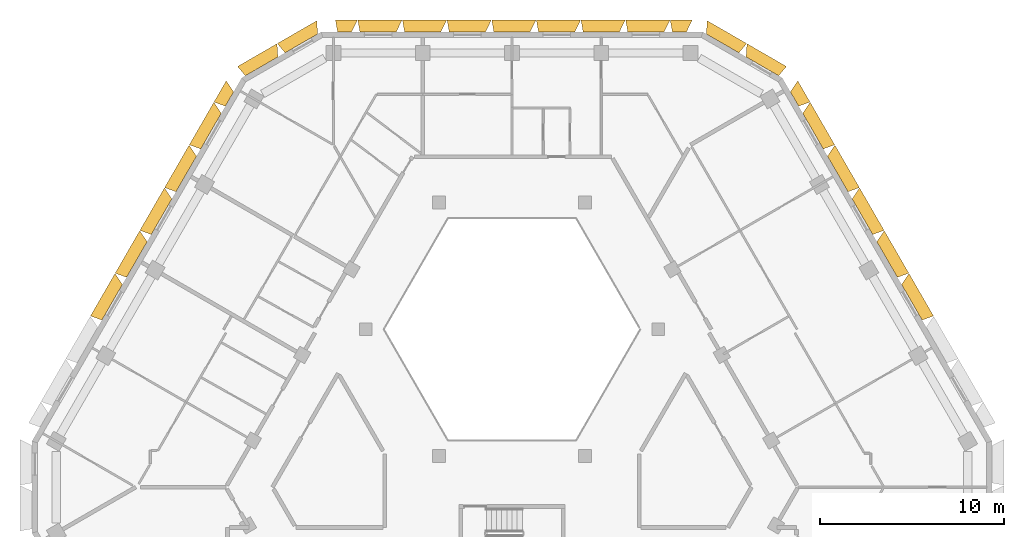
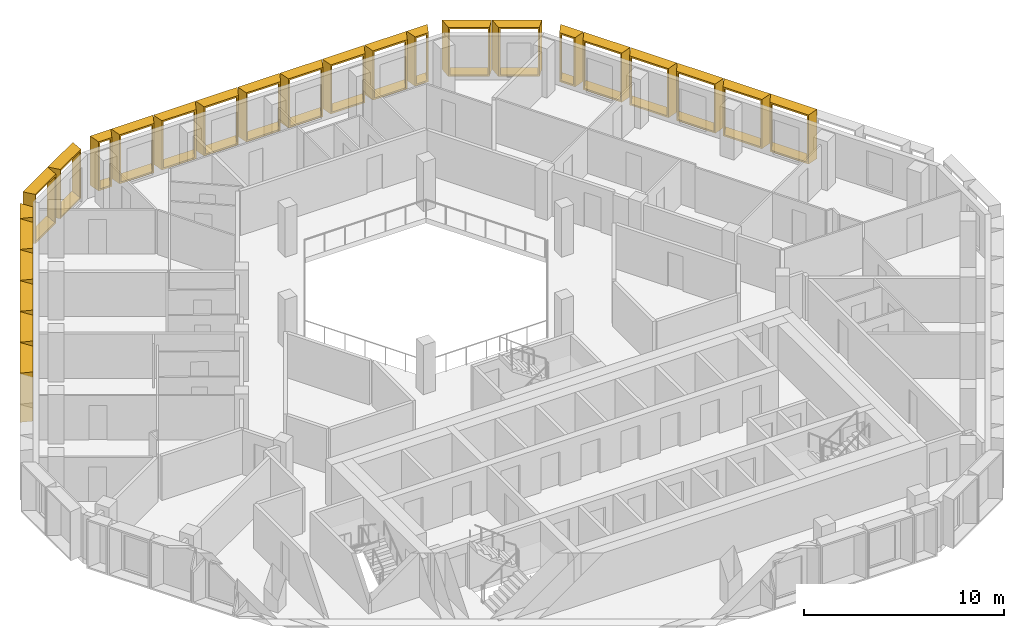
# One storey, part 15 of 15: 25 shading devices.
"""IFC4 building model written with IfcOpenShell, lengths in metres."""

from ifc_helpers import new_model, entity, si_unit, direction, frame, origin, place, context, subcontext, project, spatial, source, transform, mapped, material, type_object, type_shapes, element, save


model = new_model("IFC4")

# Units and contexts
model_context = context("Model", 3, precision=1e-05, world=origin(), true_north=direction((0.0, 1.0)))
body_context = subcontext(model_context, "Body", "Model", "MODEL_VIEW")
ifc_project = project(units=[si_unit("LENGTHUNIT", "METRE"), si_unit("AREAUNIT", "SQUARE_METRE"), si_unit("VOLUMEUNIT", "CUBIC_METRE"), si_unit("PLANEANGLEUNIT", "RADIAN"), si_unit("MASSUNIT", "GRAM", prefix="KILO")], contexts=[model_context])

# Site, building, storey
site_placement = place(None, origin())
site = spatial("IfcSite", under=ifc_project, at=site_placement, CompositionType="ELEMENT")
building_placement = place(site_placement, origin())
building = spatial("IfcBuilding", under=site, at=building_placement, Name="Beryl Residences", CompositionType="ELEMENT")
storey_placement = place(building_placement, frame((0.0, 0.0, 175.199951171875)))
storey = spatial("IfcBuildingStorey", under=building, at=storey_placement, Name="L53", CompositionType="ELEMENT", Elevation=175.199951171875)

# Shading devices
ifc_material_1 = material(Name="Aluminium pale anodised", Category="aluminium")
shading_device_type_1 = type_object("IfcShadingDeviceType", Name="FR122-65B OUTER SKIN frame 650 mm deep, splay 26/10 deg, 1220 x 3000 mm cell", PredefinedType="USERDEFINED", material=ifc_material_1)
cartesian_point_1 = entity("IfcCartesianPoint", [-0.384033203125, 0.0])
cartesian_point_2 = entity("IfcCartesianPoint", [-0.294921875, 0.10009765625])
cartesian_point_3 = entity("IfcCartesianPoint", [-0.700927734375, 0.0])
cartesian_point_4 = entity("IfcCartesianPoint", [-0.612060546875, 0.10009765625])
shared_shape_1 = source(origin(), body_context, "Body", "SweptSolid", [
    entity("IfcExtrudedAreaSolidTapered", entity("IfcArbitraryProfileDefWithVoids", "AREA", None, entity("IfcPolyline", [cartesian_point_1, entity("IfcCartesianPoint", [0.384033203125, 0.0]), entity("IfcCartesianPoint", [0.384033203125, 3.0]), entity("IfcCartesianPoint", [-0.384033203125, 3.0]), cartesian_point_1]), [entity("IfcPolyline", [cartesian_point_2, entity("IfcCartesianPoint", [0.302734375, 0.10009765625]), entity("IfcCartesianPoint", [0.302734375, 2.89990234375]), entity("IfcCartesianPoint", [-0.294921875, 2.89990234375]), cartesian_point_2])]), entity("IfcAxis2Placement3D", entity("IfcCartesianPoint", [0.0, 0.0, 0.0]), entity("IfcDirection", [0.0, 1.0, 0.0]), entity("IfcDirection", [-1.0, 0.0, 0.0])), entity("IfcDirection", [0.0, 0.0, 1.0]), 0.64990234375, entity("IfcArbitraryProfileDefWithVoids", "AREA", None, entity("IfcPolyline", [cartesian_point_3, entity("IfcCartesianPoint", [0.49853515625, 0.0]), entity("IfcCartesianPoint", [0.49853515625, 3.0]), entity("IfcCartesianPoint", [-0.700927734375, 3.0]), cartesian_point_3]), [entity("IfcPolyline", [cartesian_point_4, entity("IfcCartesianPoint", [0.41748046875, 0.10009765625]), entity("IfcCartesianPoint", [0.41748046875, 2.89990234375]), entity("IfcCartesianPoint", [-0.612060546875, 2.89990234375]), cartesian_point_4])])),
])
type_shapes(shading_device_type_1, [shared_shape_1])
for number, where, z_axis, x_axis, name in (
    (1, (9.1201171875, 24.199951171875, 0.0), (0.0, 0.0, 1.0), (1.0, 0.0, 0.0), "FR122-65B frame L53 N 1"),
    (2, (-9.1201171875, 24.199951171875, 0.0), (0.0, 0.0, 1.0), (1.0, 0.0, 0.0), "FR122-65B frame L53 N 9"),
):
    element("IfcShadingDevice", number, at=place(storey_placement, frame(where, z_axis=z_axis, x_axis=x_axis)), inside=storey, type_object=shading_device_type_1, Name=name, ObjectType="OUTER SKIN", PredefinedType="USERDEFINED", context=body_context, shape_type="MappedRepresentation", body=[
        mapped(shared_shape_1, transform((0.0, 0.0, 0.0))),
    ])
ifc_material_2 = material(Name="Aluminium pale anodised", Category="aluminium")
shading_device_type_2 = type_object("IfcShadingDeviceType", Name="FR135-65B OUTER SKIN frame 650 mm deep, splay 26/10 deg, 1350 x 3000 mm cell", PredefinedType="USERDEFINED", material=ifc_material_2)
cartesian_point_5 = entity("IfcCartesianPoint", [-0.448974609375, 0.0])
cartesian_point_6 = entity("IfcCartesianPoint", [-0.360107421875, 0.10009765625])
cartesian_point_7 = entity("IfcCartesianPoint", [-0.76611328125, 0.0])
cartesian_point_8 = entity("IfcCartesianPoint", [-0.677001953125, 0.10009765625])
shared_shape_2 = source(origin(), body_context, "Body", "SweptSolid", [
    entity("IfcExtrudedAreaSolidTapered", entity("IfcArbitraryProfileDefWithVoids", "AREA", None, entity("IfcPolyline", [cartesian_point_5, entity("IfcCartesianPoint", [0.448974609375, 0.0]), entity("IfcCartesianPoint", [0.448974609375, 3.0]), entity("IfcCartesianPoint", [-0.448974609375, 3.0]), cartesian_point_5]), [entity("IfcPolyline", [cartesian_point_6, entity("IfcCartesianPoint", [0.36767578125, 0.10009765625]), entity("IfcCartesianPoint", [0.36767578125, 2.89990234375]), entity("IfcCartesianPoint", [-0.360107421875, 2.89990234375]), cartesian_point_6])]), entity("IfcAxis2Placement3D", entity("IfcCartesianPoint", [0.0, 0.0, 0.0]), entity("IfcDirection", [0.0, 1.0, 0.0]), entity("IfcDirection", [-1.0, 0.0, 0.0])), entity("IfcDirection", [0.0, 0.0, 1.0]), 0.64990234375, entity("IfcArbitraryProfileDefWithVoids", "AREA", None, entity("IfcPolyline", [cartesian_point_7, entity("IfcCartesianPoint", [0.563720703125, 0.0]), entity("IfcCartesianPoint", [0.563720703125, 3.0]), entity("IfcCartesianPoint", [-0.76611328125, 3.0]), cartesian_point_7]), [entity("IfcPolyline", [cartesian_point_8, entity("IfcCartesianPoint", [0.482421875, 0.10009765625]), entity("IfcCartesianPoint", [0.482421875, 2.89990234375]), entity("IfcCartesianPoint", [-0.677001953125, 2.89990234375]), cartesian_point_8])])),
])
type_shapes(shading_device_type_2, [shared_shape_2])
shading_device_1_placement = place(storey_placement, frame((-15.39111328125, 20.54296875, 0.0), z_axis=(0.0, 0.0, 1.0), x_axis=(0.5, 0.866025403784, 0.0)))
element("IfcShadingDevice", 3, at=shading_device_1_placement, inside=storey, type_object=shading_device_type_2, Name="FR135-65B frame L53 NW 1", ObjectType="OUTER SKIN", PredefinedType="USERDEFINED", context=body_context, shape_type="MappedRepresentation", body=[
    mapped(shared_shape_2, transform((0.0, 0.0, 0.0))),
])
ifc_material_3 = material(Name="Aluminium pale anodised", Category="aluminium")
shading_device_type_3 = type_object("IfcShadingDeviceType", Name="FR135-65C OUTER SKIN frame 650 mm deep, splay 10/26 deg, 1350 x 3000 mm cell", PredefinedType="USERDEFINED", material=ifc_material_3)
cartesian_point_9 = entity("IfcCartesianPoint", [-0.448974609375, 0.0])
cartesian_point_10 = entity("IfcCartesianPoint", [-0.36767578125, 0.10009765625])
cartesian_point_11 = entity("IfcCartesianPoint", [-0.563720703125, 0.0])
cartesian_point_12 = entity("IfcCartesianPoint", [-0.482421875, 0.10009765625])
shared_shape_3 = source(origin(), body_context, "Body", "SweptSolid", [
    entity("IfcExtrudedAreaSolidTapered", entity("IfcArbitraryProfileDefWithVoids", "AREA", None, entity("IfcPolyline", [cartesian_point_9, entity("IfcCartesianPoint", [0.448974609375, 0.0]), entity("IfcCartesianPoint", [0.448974609375, 3.0]), entity("IfcCartesianPoint", [-0.448974609375, 3.0]), cartesian_point_9]), [entity("IfcPolyline", [cartesian_point_10, entity("IfcCartesianPoint", [0.360107421875, 0.10009765625]), entity("IfcCartesianPoint", [0.360107421875, 2.89990234375]), entity("IfcCartesianPoint", [-0.36767578125, 2.89990234375]), cartesian_point_10])]), entity("IfcAxis2Placement3D", entity("IfcCartesianPoint", [0.0, 0.0, 0.0]), entity("IfcDirection", [0.0, 1.0, 0.0]), entity("IfcDirection", [-1.0, 0.0, 0.0])), entity("IfcDirection", [0.0, 0.0, 1.0]), 0.64990234375, entity("IfcArbitraryProfileDefWithVoids", "AREA", None, entity("IfcPolyline", [cartesian_point_11, entity("IfcCartesianPoint", [0.76611328125, 0.0]), entity("IfcCartesianPoint", [0.76611328125, 3.0]), entity("IfcCartesianPoint", [-0.563720703125, 3.0]), cartesian_point_11]), [entity("IfcPolyline", [cartesian_point_12, entity("IfcCartesianPoint", [0.677001953125, 0.10009765625]), entity("IfcCartesianPoint", [0.677001953125, 2.89990234375]), entity("IfcCartesianPoint", [-0.482421875, 2.89990234375]), cartesian_point_12])])),
])
type_shapes(shading_device_type_3, [shared_shape_3])
shading_device_2_placement = place(storey_placement, frame((15.39111328125, 20.54296875, 0.0), z_axis=(0.0, 0.0, 1.0), x_axis=(0.5, -0.866025403784, 0.0)))
element("IfcShadingDevice", 4, at=shading_device_2_placement, inside=storey, type_object=shading_device_type_3, Name="FR135-65C frame L53 NE 9", ObjectType="OUTER SKIN", PredefinedType="USERDEFINED", context=body_context, shape_type="MappedRepresentation", body=[
    mapped(shared_shape_3, transform((0.0, 0.0, 0.0))),
])
ifc_material_4 = material(Name="Aluminium pale anodised", Category="aluminium")
shading_device_type_4 = type_object("IfcShadingDeviceType", Name="FR243-65B OUTER SKIN frame 650 mm deep, splay 26/10 deg, 2430 x 3000 mm cell", PredefinedType="USERDEFINED", material=ifc_material_4)
cartesian_point_13 = entity("IfcCartesianPoint", [-0.989013671875, 0.0])
cartesian_point_14 = entity("IfcCartesianPoint", [-0.89990234375, 0.10009765625])
cartesian_point_15 = entity("IfcCartesianPoint", [-1.305908203125, 0.0])
cartesian_point_16 = entity("IfcCartesianPoint", [-1.217041015625, 0.10009765625])
shared_shape_4 = source(origin(), body_context, "Body", "SweptSolid", [
    entity("IfcExtrudedAreaSolidTapered", entity("IfcArbitraryProfileDefWithVoids", "AREA", None, entity("IfcPolyline", [cartesian_point_13, entity("IfcCartesianPoint", [0.989013671875, 0.0]), entity("IfcCartesianPoint", [0.989013671875, 3.0]), entity("IfcCartesianPoint", [-0.989013671875, 3.0]), cartesian_point_13]), [entity("IfcPolyline", [cartesian_point_14, entity("IfcCartesianPoint", [0.90771484375, 0.10009765625]), entity("IfcCartesianPoint", [0.90771484375, 2.89990234375]), entity("IfcCartesianPoint", [-0.89990234375, 2.89990234375]), cartesian_point_14])]), entity("IfcAxis2Placement3D", entity("IfcCartesianPoint", [0.0, 0.0, 0.0]), entity("IfcDirection", [0.0, 1.0, 0.0]), entity("IfcDirection", [-1.0, 0.0, 0.0])), entity("IfcDirection", [0.0, 0.0, 1.0]), 0.64990234375, entity("IfcArbitraryProfileDefWithVoids", "AREA", None, entity("IfcPolyline", [cartesian_point_15, entity("IfcCartesianPoint", [1.103515625, 0.0]), entity("IfcCartesianPoint", [1.103515625, 3.0]), entity("IfcCartesianPoint", [-1.305908203125, 3.0]), cartesian_point_15]), [entity("IfcPolyline", [cartesian_point_16, entity("IfcCartesianPoint", [1.0224609375, 0.10009765625]), entity("IfcCartesianPoint", [1.0224609375, 2.89990234375]), entity("IfcCartesianPoint", [-1.217041015625, 2.89990234375]), cartesian_point_16])])),
])
type_shapes(shading_device_type_4, [shared_shape_4])
for number, where, z_axis, x_axis, name in (
    (5, (7.2958984375, 24.199951171875, 0.0), (0.0, 0.0, 1.0), (1.0, 0.0, 0.0), "FR243-65B frame L53 N 2"),
    (6, (4.864013671875, 24.199951171875, 0.0), (0.0, 0.0, 1.0), (1.0, 0.0, 0.0), "FR243-65B frame L53 N 3"),
    (7, (2.431884765625, 24.199951171875, 0.0), (0.0, 0.0, 1.0), (1.0, 0.0, 0.0), "FR243-65B frame L53 N 4"),
    (8, (0.0, 24.199951171875, 0.0), (0.0, 0.0, 1.0), (1.0, 0.0, 0.0), "FR243-65B frame L53 N 5"),
    (9, (-2.431884765625, 24.199951171875, 0.0), (0.0, 0.0, 1.0), (1.0, 0.0, 0.0), "FR243-65B frame L53 N 6"),
    (10, (-4.864013671875, 24.199951171875, 0.0), (0.0, 0.0, 1.0), (1.0, 0.0, 0.0), "FR243-65B frame L53 N 7"),
    (11, (-7.2958984375, 24.199951171875, 0.0), (0.0, 0.0, 1.0), (1.0, 0.0, 0.0), "FR243-65B frame L53 N 8"),
):
    element("IfcShadingDevice", number, at=place(storey_placement, frame(where, z_axis=z_axis, x_axis=x_axis)), inside=storey, type_object=shading_device_type_4, Name=name, ObjectType="OUTER SKIN", PredefinedType="USERDEFINED", context=body_context, shape_type="MappedRepresentation", body=[
        mapped(shared_shape_4, transform((0.0, 0.0, 0.0))),
    ])
ifc_material_5 = material(Name="Aluminium pale anodised", Category="aluminium")
shading_device_type_5 = type_object("IfcShadingDeviceType", Name="FR250-65B OUTER SKIN frame 650 mm deep, splay 26/10 deg, 2500 x 3000 mm cell", PredefinedType="USERDEFINED", material=ifc_material_5)
cartesian_point_17 = entity("IfcCartesianPoint", [-1.02392578125, 0.0])
cartesian_point_18 = entity("IfcCartesianPoint", [-0.93505859375, 0.10009765625])
cartesian_point_19 = entity("IfcCartesianPoint", [-1.341064453125, 0.0])
cartesian_point_20 = entity("IfcCartesianPoint", [-1.251953125, 0.10009765625])
shared_shape_5 = source(origin(), body_context, "Body", "SweptSolid", [
    entity("IfcExtrudedAreaSolidTapered", entity("IfcArbitraryProfileDefWithVoids", "AREA", None, entity("IfcPolyline", [cartesian_point_17, entity("IfcCartesianPoint", [1.02392578125, 0.0]), entity("IfcCartesianPoint", [1.02392578125, 3.0]), entity("IfcCartesianPoint", [-1.02392578125, 3.0]), cartesian_point_17]), [entity("IfcPolyline", [cartesian_point_18, entity("IfcCartesianPoint", [0.94287109375, 0.10009765625]), entity("IfcCartesianPoint", [0.94287109375, 2.89990234375]), entity("IfcCartesianPoint", [-0.93505859375, 2.89990234375]), cartesian_point_18])]), entity("IfcAxis2Placement3D", entity("IfcCartesianPoint", [0.0, 0.0, 0.0]), entity("IfcDirection", [0.0, 1.0, 0.0]), entity("IfcDirection", [-1.0, 0.0, 0.0])), entity("IfcDirection", [0.0, 0.0, 1.0]), 0.64990234375, entity("IfcArbitraryProfileDefWithVoids", "AREA", None, entity("IfcPolyline", [cartesian_point_19, entity("IfcCartesianPoint", [1.138671875, 0.0]), entity("IfcCartesianPoint", [1.138671875, 3.0]), entity("IfcCartesianPoint", [-1.341064453125, 3.0]), cartesian_point_19]), [entity("IfcPolyline", [cartesian_point_20, entity("IfcCartesianPoint", [1.057373046875, 0.10009765625]), entity("IfcCartesianPoint", [1.057373046875, 2.89990234375]), entity("IfcCartesianPoint", [-1.251953125, 2.89990234375]), cartesian_point_20])])),
])
type_shapes(shading_device_type_5, [shared_shape_5])
for number, where, z_axis, x_axis, name in (
    (12, (-11.47412109375, 23.574951171875, 0.0), (0.0, 0.0, 1.0), (0.866025403784, 0.5, 0.0), "FR250-65B frame L53 N-NW 1"),
    (13, (-13.638916015625, 22.324951171875, 0.0), (0.0, 0.0, 1.0), (0.866025403784, 0.5, 0.0), "FR250-65B frame L53 N-NW 2"),
):
    element("IfcShadingDevice", number, at=place(storey_placement, frame(where, z_axis=z_axis, x_axis=x_axis)), inside=storey, type_object=shading_device_type_5, Name=name, ObjectType="OUTER SKIN", PredefinedType="USERDEFINED", context=body_context, shape_type="MappedRepresentation", body=[
        mapped(shared_shape_5, transform((0.0, 0.0, 0.0))),
    ])
ifc_material_6 = material(Name="Aluminium pale anodised", Category="aluminium")
shading_device_type_6 = type_object("IfcShadingDeviceType", Name="FR250-65C OUTER SKIN frame 650 mm deep, splay 10/26 deg, 2500 x 3000 mm cell", PredefinedType="USERDEFINED", material=ifc_material_6)
cartesian_point_21 = entity("IfcCartesianPoint", [-1.02392578125, 0.0])
cartesian_point_22 = entity("IfcCartesianPoint", [-0.94287109375, 0.10009765625])
cartesian_point_23 = entity("IfcCartesianPoint", [-1.138671875, 0.0])
cartesian_point_24 = entity("IfcCartesianPoint", [-1.057373046875, 0.10009765625])
shared_shape_6 = source(origin(), body_context, "Body", "SweptSolid", [
    entity("IfcExtrudedAreaSolidTapered", entity("IfcArbitraryProfileDefWithVoids", "AREA", None, entity("IfcPolyline", [cartesian_point_21, entity("IfcCartesianPoint", [1.02392578125, 0.0]), entity("IfcCartesianPoint", [1.02392578125, 3.0]), entity("IfcCartesianPoint", [-1.02392578125, 3.0]), cartesian_point_21]), [entity("IfcPolyline", [cartesian_point_22, entity("IfcCartesianPoint", [0.93505859375, 0.10009765625]), entity("IfcCartesianPoint", [0.93505859375, 2.89990234375]), entity("IfcCartesianPoint", [-0.94287109375, 2.89990234375]), cartesian_point_22])]), entity("IfcAxis2Placement3D", entity("IfcCartesianPoint", [0.0, 0.0, 0.0]), entity("IfcDirection", [0.0, 1.0, 0.0]), entity("IfcDirection", [-1.0, 0.0, 0.0])), entity("IfcDirection", [0.0, 0.0, 1.0]), 0.64990234375, entity("IfcArbitraryProfileDefWithVoids", "AREA", None, entity("IfcPolyline", [cartesian_point_23, entity("IfcCartesianPoint", [1.341064453125, 0.0]), entity("IfcCartesianPoint", [1.341064453125, 3.0]), entity("IfcCartesianPoint", [-1.138671875, 3.0]), cartesian_point_23]), [entity("IfcPolyline", [cartesian_point_24, entity("IfcCartesianPoint", [1.251953125, 0.10009765625]), entity("IfcCartesianPoint", [1.251953125, 2.89990234375]), entity("IfcCartesianPoint", [-1.057373046875, 2.89990234375]), cartesian_point_24])])),
])
type_shapes(shading_device_type_6, [shared_shape_6])
for number, where, z_axis, x_axis, name in (
    (14, (13.638916015625, 22.324951171875, 0.0), (0.0, 0.0, 1.0), (0.866025403784, -0.5, 0.0), "FR250-65C frame L53 NE-N 1"),
    (15, (11.47412109375, 23.574951171875, 0.0), (0.0, 0.0, 1.0), (0.866025403784, -0.5, 0.0), "FR250-65C frame L53 NE-N 2"),
):
    element("IfcShadingDevice", number, at=place(storey_placement, frame(where, z_axis=z_axis, x_axis=x_axis)), inside=storey, type_object=shading_device_type_6, Name=name, ObjectType="OUTER SKIN", PredefinedType="USERDEFINED", context=body_context, shape_type="MappedRepresentation", body=[
        mapped(shared_shape_6, transform((0.0, 0.0, 0.0))),
    ])
ifc_material_7 = material(Name="Aluminium pale anodised", Category="aluminium")
shading_device_type_7 = type_object("IfcShadingDeviceType", Name="FR269-65B OUTER SKIN frame 650 mm deep, splay 26/10 deg, 2690 x 3000 mm cell", PredefinedType="USERDEFINED", material=ifc_material_7)
cartesian_point_25 = entity("IfcCartesianPoint", [-1.118896484375, 0.0])
cartesian_point_26 = entity("IfcCartesianPoint", [-1.030029296875, 0.10009765625])
cartesian_point_27 = entity("IfcCartesianPoint", [-1.43603515625, 0.0])
cartesian_point_28 = entity("IfcCartesianPoint", [-1.346923828125, 0.10009765625])
shared_shape_7 = source(origin(), body_context, "Body", "SweptSolid", [
    entity("IfcExtrudedAreaSolidTapered", entity("IfcArbitraryProfileDefWithVoids", "AREA", None, entity("IfcPolyline", [cartesian_point_25, entity("IfcCartesianPoint", [1.118896484375, 0.0]), entity("IfcCartesianPoint", [1.118896484375, 3.0]), entity("IfcCartesianPoint", [-1.118896484375, 3.0]), cartesian_point_25]), [entity("IfcPolyline", [cartesian_point_26, entity("IfcCartesianPoint", [1.037841796875, 0.10009765625]), entity("IfcCartesianPoint", [1.037841796875, 2.89990234375]), entity("IfcCartesianPoint", [-1.030029296875, 2.89990234375]), cartesian_point_26])]), entity("IfcAxis2Placement3D", entity("IfcCartesianPoint", [0.0, 0.0, 0.0]), entity("IfcDirection", [0.0, 1.0, 0.0]), entity("IfcDirection", [-1.0, 0.0, 0.0])), entity("IfcDirection", [0.0, 0.0, 1.0]), 0.64990234375, entity("IfcArbitraryProfileDefWithVoids", "AREA", None, entity("IfcPolyline", [cartesian_point_27, entity("IfcCartesianPoint", [1.233642578125, 0.0]), entity("IfcCartesianPoint", [1.233642578125, 3.0]), entity("IfcCartesianPoint", [-1.43603515625, 3.0]), cartesian_point_27]), [entity("IfcPolyline", [cartesian_point_28, entity("IfcCartesianPoint", [1.15234375, 0.10009765625]), entity("IfcCartesianPoint", [1.15234375, 2.89990234375]), entity("IfcCartesianPoint", [-1.346923828125, 2.89990234375]), cartesian_point_28])])),
])
type_shapes(shading_device_type_7, [shared_shape_7])
for number, where, z_axis, x_axis, name in (
    (16, (-16.39990234375, 18.7939453125, 0.0), (0.0, 0.0, 1.0), (0.5, 0.866025403784, 0.0), "FR269-65B frame L53 NW 2"),
    (17, (-17.74609375, 16.462890625, 0.0), (0.0, 0.0, 1.0), (0.5, 0.866025403784, 0.0), "FR269-65B frame L53 NW 3"),
    (18, (-19.092041015625, 14.131103515625, 0.0), (0.0, 0.0, 1.0), (0.5, 0.866025403784, 0.0), "FR269-65B frame L53 NW 4"),
    (19, (-20.43798828125, 11.800048828125, 0.0), (0.0, 0.0, 1.0), (0.5, 0.866025403784, 0.0), "FR269-65B frame L53 NW 5"),
    (20, (-21.783935546875, 9.468994140625, 0.0), (0.0, 0.0, 1.0), (0.5, 0.866025403784, 0.0), "FR269-65B frame L53 NW 6"),
):
    element("IfcShadingDevice", number, at=place(storey_placement, frame(where, z_axis=z_axis, x_axis=x_axis)), inside=storey, type_object=shading_device_type_7, Name=name, ObjectType="OUTER SKIN", PredefinedType="USERDEFINED", context=body_context, shape_type="MappedRepresentation", body=[
        mapped(shared_shape_7, transform((0.0, 0.0, 0.0))),
    ])
ifc_material_8 = material(Name="Aluminium pale anodised", Category="aluminium")
shading_device_type_8 = type_object("IfcShadingDeviceType", Name="FR269-65C OUTER SKIN frame 650 mm deep, splay 10/26 deg, 2690 x 3000 mm cell", PredefinedType="USERDEFINED", material=ifc_material_8)
cartesian_point_29 = entity("IfcCartesianPoint", [-1.118896484375, 0.0])
cartesian_point_30 = entity("IfcCartesianPoint", [-1.037841796875, 0.10009765625])
cartesian_point_31 = entity("IfcCartesianPoint", [-1.233642578125, 0.0])
cartesian_point_32 = entity("IfcCartesianPoint", [-1.15234375, 0.10009765625])
shared_shape_8 = source(origin(), body_context, "Body", "SweptSolid", [
    entity("IfcExtrudedAreaSolidTapered", entity("IfcArbitraryProfileDefWithVoids", "AREA", None, entity("IfcPolyline", [cartesian_point_29, entity("IfcCartesianPoint", [1.118896484375, 0.0]), entity("IfcCartesianPoint", [1.118896484375, 3.0]), entity("IfcCartesianPoint", [-1.118896484375, 3.0]), cartesian_point_29]), [entity("IfcPolyline", [cartesian_point_30, entity("IfcCartesianPoint", [1.030029296875, 0.10009765625]), entity("IfcCartesianPoint", [1.030029296875, 2.89990234375]), entity("IfcCartesianPoint", [-1.037841796875, 2.89990234375]), cartesian_point_30])]), entity("IfcAxis2Placement3D", entity("IfcCartesianPoint", [0.0, 0.0, 0.0]), entity("IfcDirection", [0.0, 1.0, 0.0]), entity("IfcDirection", [-1.0, 0.0, 0.0])), entity("IfcDirection", [0.0, 0.0, 1.0]), 0.64990234375, entity("IfcArbitraryProfileDefWithVoids", "AREA", None, entity("IfcPolyline", [cartesian_point_31, entity("IfcCartesianPoint", [1.43603515625, 0.0]), entity("IfcCartesianPoint", [1.43603515625, 3.0]), entity("IfcCartesianPoint", [-1.233642578125, 3.0]), cartesian_point_31]), [entity("IfcPolyline", [cartesian_point_32, entity("IfcCartesianPoint", [1.346923828125, 0.10009765625]), entity("IfcCartesianPoint", [1.346923828125, 2.89990234375]), entity("IfcCartesianPoint", [-1.15234375, 2.89990234375]), cartesian_point_32])])),
])
type_shapes(shading_device_type_8, [shared_shape_8])
for number, where, z_axis, x_axis, name in (
    (21, (21.783935546875, 9.468994140625, 0.0), (0.0, 0.0, 1.0), (0.5, -0.866025403784, 0.0), "FR269-65C frame L53 NE 4"),
    (22, (20.43798828125, 11.800048828125, 0.0), (0.0, 0.0, 1.0), (0.5, -0.866025403784, 0.0), "FR269-65C frame L53 NE 5"),
    (23, (19.092041015625, 14.131103515625, 0.0), (0.0, 0.0, 1.0), (0.5, -0.866025403784, 0.0), "FR269-65C frame L53 NE 6"),
    (24, (17.74609375, 16.462890625, 0.0), (0.0, 0.0, 1.0), (0.5, -0.866025403784, 0.0), "FR269-65C frame L53 NE 7"),
    (25, (16.39990234375, 18.7939453125, 0.0), (0.0, 0.0, 1.0), (0.5, -0.866025403784, 0.0), "FR269-65C frame L53 NE 8"),
):
    element("IfcShadingDevice", number, at=place(storey_placement, frame(where, z_axis=z_axis, x_axis=x_axis)), inside=storey, type_object=shading_device_type_8, Name=name, ObjectType="OUTER SKIN", PredefinedType="USERDEFINED", context=body_context, shape_type="MappedRepresentation", body=[
        mapped(shared_shape_8, transform((0.0, 0.0, 0.0))),
    ])

save(model, "model.ifc")
